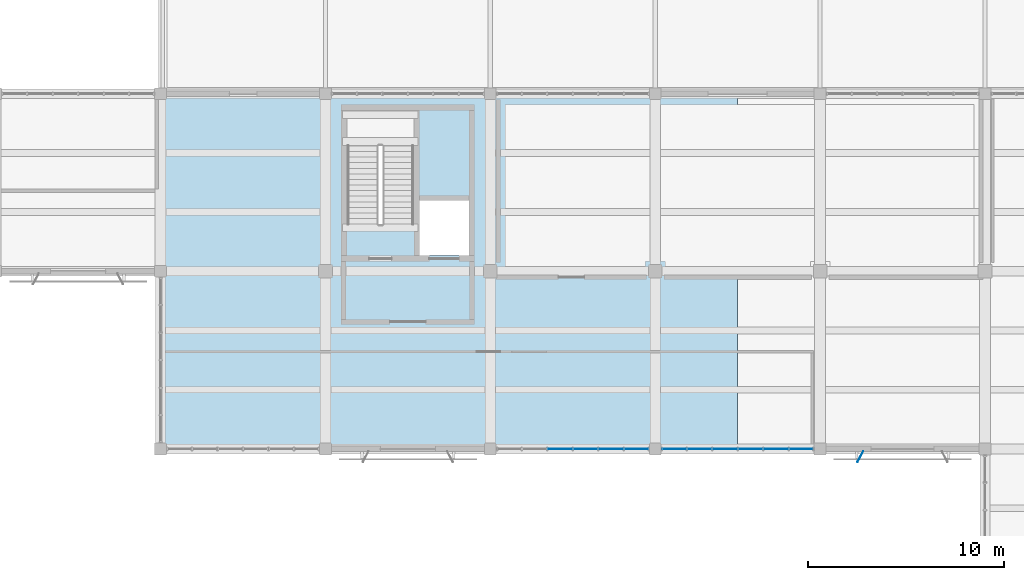
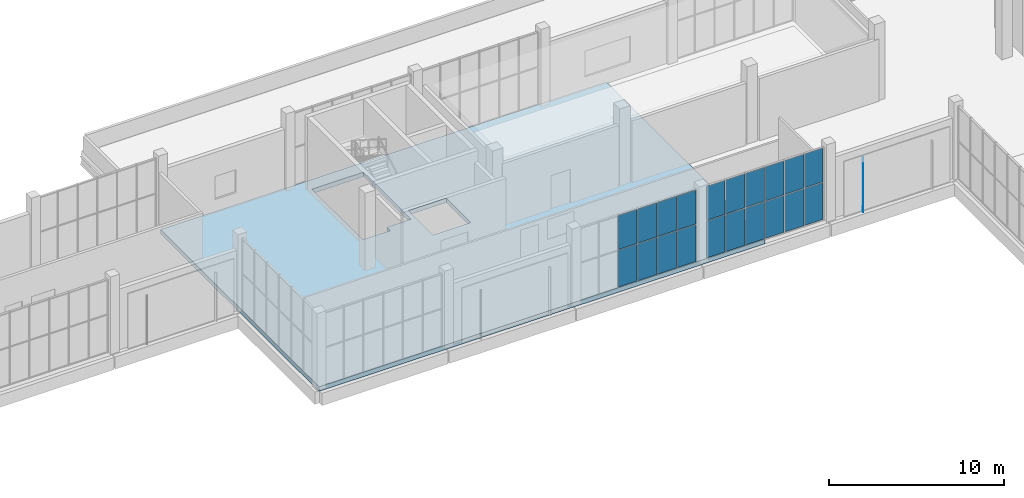
# One storey, part 105 of 132: 21 plates, 1 slab, 2 elements without a shape of their own.
"""IFC4 building model written with IfcOpenShell, lengths in metres."""

from ifc_helpers import new_model, si_unit, direction, frame, origin, origin_2d, place, context, subcontext, project, spatial, polyline, rectangle, outline, extrude, material, layer, layer_set, type_object, element, aggregate, save


model = new_model("IFC4")

# Units and contexts
model_context = context("Model", 3, precision=1e-05, world=origin(), true_north=direction((0.0, 1.0)))
body_context = subcontext(model_context, "Body", "Model", "MODEL_VIEW")
ifc_project = project(units=[si_unit("LENGTHUNIT", "METRE"), si_unit("AREAUNIT", "SQUARE_METRE"), si_unit("VOLUMEUNIT", "CUBIC_METRE"), si_unit("PLANEANGLEUNIT", "RADIAN"), si_unit("MASSUNIT", "GRAM", prefix="KILO")], contexts=[model_context])

# Site, building, storey
site_placement = place(None, origin())
site = spatial("IfcSite", under=ifc_project, at=site_placement, CompositionType="ELEMENT")
building_placement = place(site_placement, origin())
building = spatial("IfcBuilding", under=site, at=building_placement, Name="Khurvash Pelagic Aquarium", CompositionType="ELEMENT")
storey_placement = place(building_placement, frame((0.0, 0.0, 5.39990234375)))
storey = spatial("IfcBuildingStorey", under=building, at=storey_placement, Name="L01", CompositionType="ELEMENT", Elevation=5.39990234375)

# Curtain wall, plates
ifc_material_1 = material(Name="Anodised aluminium and low-E laminated glass", Category="aluminium")
curtain_wall_type = type_object("IfcCurtainWallType", Name="CW-05", PredefinedType="USERDEFINED", material=ifc_material_1)
curtain_wall_1_placement = place(storey_placement, origin())
curtain_wall_1 = element("IfcCurtainWall", 1, at=curtain_wall_1_placement, inside=storey, type_object=curtain_wall_type, Name="L01 Facade Unitised Curtain Wall CW-05 0138", ObjectType="UNITISED CURTAIN WALL", PredefinedType="USERDEFINED")
ifc_material_2 = material(Name="Low-E laminated double glazing", Category="glass")
ifc_layer_1 = layer(ifc_material_2, 0.033935546875)
ifc_layer_set_1 = layer_set([ifc_layer_1], Name="Low-E laminated double glazing")
plate_type_1 = type_object("IfcPlateType", Name="CG-05", PredefinedType="CURTAIN_PANEL", material=ifc_layer_set_1)
plate_1_placement = place(storey_placement, frame((79.15087890625, 84.050048828125, 0.06005859375), z_axis=(0.0, 0.0, 1.0), x_axis=(1.0, 0.0, 0.0)))
plate_1 = element("IfcPlate", 2, at=plate_1_placement, type_object=plate_type_1, Name="CW-05 panel 3.1", PredefinedType="CURTAIN_PANEL", context=body_context, shape_type="SweptSolid", body=[
    extrude(rectangle(XDim=1.23828125, YDim=0.033935546875, at=origin_2d()), origin(), (0.0, 0.0, 1.0), 2.56201171875),
])
plate_2_placement = place(storey_placement, frame((79.15087890625, 84.050048828125, 2.68212890625), z_axis=(0.0, 0.0, 1.0), x_axis=(1.0, 0.0, 0.0)))
plate_2 = element("IfcPlate", 3, at=plate_2_placement, type_object=plate_type_1, Name="CW-05 panel 3.2", PredefinedType="CURTAIN_PANEL", context=body_context, shape_type="SweptSolid", body=[
    extrude(rectangle(XDim=1.23828125, YDim=0.033935546875, at=origin_2d()), origin(), (0.0, 0.0, 1.0), 2.35791015625),
])
plate_3_placement = place(storey_placement, frame((80.44921875, 84.050048828125, 0.06005859375), z_axis=(0.0, 0.0, 1.0), x_axis=(1.0, 0.0, 0.0)))
plate_3 = element("IfcPlate", 4, at=plate_3_placement, type_object=plate_type_1, Name="CW-05 panel 4.1", PredefinedType="CURTAIN_PANEL", context=body_context, shape_type="SweptSolid", body=[
    extrude(rectangle(XDim=1.23828125, YDim=0.033935546875, at=origin_2d()), origin(), (0.0, 0.0, 1.0), 2.56201171875),
])
plate_4_placement = place(storey_placement, frame((80.44921875, 84.050048828125, 2.68212890625), z_axis=(0.0, 0.0, 1.0), x_axis=(1.0, 0.0, 0.0)))
plate_4 = element("IfcPlate", 5, at=plate_4_placement, type_object=plate_type_1, Name="CW-05 panel 4.2", PredefinedType="CURTAIN_PANEL", context=body_context, shape_type="SweptSolid", body=[
    extrude(rectangle(XDim=1.23828125, YDim=0.033935546875, at=origin_2d()), origin(), (0.0, 0.0, 1.0), 2.35791015625),
])
plate_5_placement = place(storey_placement, frame((81.74755859375, 84.050048828125, 0.06005859375), z_axis=(0.0, 0.0, 1.0), x_axis=(1.0, 0.0, 0.0)))
plate_5 = element("IfcPlate", 6, at=plate_5_placement, type_object=plate_type_1, Name="CW-05 panel 5.1", PredefinedType="CURTAIN_PANEL", context=body_context, shape_type="SweptSolid", body=[
    extrude(rectangle(XDim=1.23828125, YDim=0.033935546875, at=origin_2d()), origin(), (0.0, 0.0, 1.0), 2.56201171875),
])
plate_6_placement = place(storey_placement, frame((81.74755859375, 84.050048828125, 2.68212890625), z_axis=(0.0, 0.0, 1.0), x_axis=(1.0, 0.0, 0.0)))
plate_6 = element("IfcPlate", 7, at=plate_6_placement, type_object=plate_type_1, Name="CW-05 panel 5.2", PredefinedType="CURTAIN_PANEL", context=body_context, shape_type="SweptSolid", body=[
    extrude(rectangle(XDim=1.23828125, YDim=0.033935546875, at=origin_2d()), origin(), (0.0, 0.0, 1.0), 2.35791015625),
])
plate_7_placement = place(storey_placement, frame((83.03076171875, 84.050048828125, 0.06005859375), z_axis=(0.0, 0.0, 1.0), x_axis=(1.0, 0.0, 0.0)))
plate_7 = element("IfcPlate", 8, at=plate_7_placement, type_object=plate_type_1, Name="CW-05 panel 6.1", PredefinedType="CURTAIN_PANEL", context=body_context, shape_type="SweptSolid", body=[
    extrude(rectangle(XDim=1.208251953125, YDim=0.033935546875, at=origin_2d()), origin(), (0.0, 0.0, 1.0), 2.56201171875),
])
plate_8_placement = place(storey_placement, frame((83.03076171875, 84.050048828125, 2.68212890625), z_axis=(0.0, 0.0, 1.0), x_axis=(1.0, 0.0, 0.0)))
plate_8 = element("IfcPlate", 9, at=plate_8_placement, type_object=plate_type_1, Name="CW-05 panel 6.2", PredefinedType="CURTAIN_PANEL", context=body_context, shape_type="SweptSolid", body=[
    extrude(rectangle(XDim=1.208251953125, YDim=0.033935546875, at=origin_2d()), origin(), (0.0, 0.0, 1.0), 2.35791015625),
])
aggregate(curtain_wall_1, [plate_1, plate_2, plate_3, plate_4, plate_5, plate_6, plate_7, plate_8])

curtain_wall_2_placement = place(storey_placement, origin())
curtain_wall_2 = element("IfcCurtainWall", 10, at=curtain_wall_2_placement, inside=storey, type_object=curtain_wall_type, Name="L01 Facade Unitised Curtain Wall CW-05 0139", ObjectType="UNITISED CURTAIN WALL", PredefinedType="USERDEFINED")
plate_9_placement = place(storey_placement, frame((84.96923828125, 84.050048828125, 0.06005859375), z_axis=(0.0, 0.0, 1.0), x_axis=(1.0, 0.0, 0.0)))
plate_9 = element("IfcPlate", 11, at=plate_9_placement, type_object=plate_type_1, Name="CW-05 panel 1.1", PredefinedType="CURTAIN_PANEL", context=body_context, shape_type="SweptSolid", body=[
    extrude(rectangle(XDim=1.208251953125, YDim=0.033935546875, at=origin_2d()), origin(), (0.0, 0.0, 1.0), 2.56201171875),
])
plate_10_placement = place(storey_placement, frame((84.96923828125, 84.050048828125, 2.68212890625), z_axis=(0.0, 0.0, 1.0), x_axis=(1.0, 0.0, 0.0)))
plate_10 = element("IfcPlate", 12, at=plate_10_placement, type_object=plate_type_1, Name="CW-05 panel 1.2", PredefinedType="CURTAIN_PANEL", context=body_context, shape_type="SweptSolid", body=[
    extrude(rectangle(XDim=1.208251953125, YDim=0.033935546875, at=origin_2d()), origin(), (0.0, 0.0, 1.0), 2.35791015625),
])
plate_11_placement = place(storey_placement, frame((86.25244140625, 84.050048828125, 0.06005859375), z_axis=(0.0, 0.0, 1.0), x_axis=(1.0, 0.0, 0.0)))
plate_11 = element("IfcPlate", 13, at=plate_11_placement, type_object=plate_type_1, Name="CW-05 panel 2.1", PredefinedType="CURTAIN_PANEL", context=body_context, shape_type="SweptSolid", body=[
    extrude(rectangle(XDim=1.23828125, YDim=0.033935546875, at=origin_2d()), origin(), (0.0, 0.0, 1.0), 2.56201171875),
])
plate_12_placement = place(storey_placement, frame((86.25244140625, 84.050048828125, 2.68212890625), z_axis=(0.0, 0.0, 1.0), x_axis=(1.0, 0.0, 0.0)))
plate_12 = element("IfcPlate", 14, at=plate_12_placement, type_object=plate_type_1, Name="CW-05 panel 2.2", PredefinedType="CURTAIN_PANEL", context=body_context, shape_type="SweptSolid", body=[
    extrude(rectangle(XDim=1.23828125, YDim=0.033935546875, at=origin_2d()), origin(), (0.0, 0.0, 1.0), 2.35791015625),
])
plate_13_placement = place(storey_placement, frame((87.55078125, 84.050048828125, 0.06005859375), z_axis=(0.0, 0.0, 1.0), x_axis=(1.0, 0.0, 0.0)))
plate_13 = element("IfcPlate", 15, at=plate_13_placement, type_object=plate_type_1, Name="CW-05 panel 3.1", PredefinedType="CURTAIN_PANEL", context=body_context, shape_type="SweptSolid", body=[
    extrude(rectangle(XDim=1.23828125, YDim=0.033935546875, at=origin_2d()), origin(), (0.0, 0.0, 1.0), 2.56201171875),
])
plate_14_placement = place(storey_placement, frame((87.55078125, 84.050048828125, 2.68212890625), z_axis=(0.0, 0.0, 1.0), x_axis=(1.0, 0.0, 0.0)))
plate_14 = element("IfcPlate", 16, at=plate_14_placement, type_object=plate_type_1, Name="CW-05 panel 3.2", PredefinedType="CURTAIN_PANEL", context=body_context, shape_type="SweptSolid", body=[
    extrude(rectangle(XDim=1.23828125, YDim=0.033935546875, at=origin_2d()), origin(), (0.0, 0.0, 1.0), 2.35791015625),
])
plate_15_placement = place(storey_placement, frame((88.84912109375, 84.050048828125, 0.06005859375), z_axis=(0.0, 0.0, 1.0), x_axis=(1.0, 0.0, 0.0)))
plate_15 = element("IfcPlate", 17, at=plate_15_placement, type_object=plate_type_1, Name="CW-05 panel 4.1", PredefinedType="CURTAIN_PANEL", context=body_context, shape_type="SweptSolid", body=[
    extrude(rectangle(XDim=1.23828125, YDim=0.033935546875, at=origin_2d()), origin(), (0.0, 0.0, 1.0), 2.56201171875),
])
plate_16_placement = place(storey_placement, frame((88.84912109375, 84.050048828125, 2.68212890625), z_axis=(0.0, 0.0, 1.0), x_axis=(1.0, 0.0, 0.0)))
plate_16 = element("IfcPlate", 18, at=plate_16_placement, type_object=plate_type_1, Name="CW-05 panel 4.2", PredefinedType="CURTAIN_PANEL", context=body_context, shape_type="SweptSolid", body=[
    extrude(rectangle(XDim=1.23828125, YDim=0.033935546875, at=origin_2d()), origin(), (0.0, 0.0, 1.0), 2.35791015625),
])
plate_17_placement = place(storey_placement, frame((90.1474609375, 84.050048828125, 0.06005859375), z_axis=(0.0, 0.0, 1.0), x_axis=(1.0, 0.0, 0.0)))
plate_17 = element("IfcPlate", 19, at=plate_17_placement, type_object=plate_type_1, Name="CW-05 panel 5.1", PredefinedType="CURTAIN_PANEL", context=body_context, shape_type="SweptSolid", body=[
    extrude(rectangle(XDim=1.23828125, YDim=0.033935546875, at=origin_2d()), origin(), (0.0, 0.0, 1.0), 2.56201171875),
])
plate_18_placement = place(storey_placement, frame((90.1474609375, 84.050048828125, 2.68212890625), z_axis=(0.0, 0.0, 1.0), x_axis=(1.0, 0.0, 0.0)))
plate_18 = element("IfcPlate", 20, at=plate_18_placement, type_object=plate_type_1, Name="CW-05 panel 5.2", PredefinedType="CURTAIN_PANEL", context=body_context, shape_type="SweptSolid", body=[
    extrude(rectangle(XDim=1.23828125, YDim=0.033935546875, at=origin_2d()), origin(), (0.0, 0.0, 1.0), 2.35791015625),
])
plate_19_placement = place(storey_placement, frame((91.430908203125, 84.050048828125, 0.06005859375), z_axis=(0.0, 0.0, 1.0), x_axis=(1.0, 0.0, 0.0)))
plate_19 = element("IfcPlate", 21, at=plate_19_placement, type_object=plate_type_1, Name="CW-05 panel 6.1", PredefinedType="CURTAIN_PANEL", context=body_context, shape_type="SweptSolid", body=[
    extrude(rectangle(XDim=1.208251953125, YDim=0.033935546875, at=origin_2d()), origin(), (0.0, 0.0, 1.0), 2.56201171875),
])
plate_20_placement = place(storey_placement, frame((91.430908203125, 84.050048828125, 2.68212890625), z_axis=(0.0, 0.0, 1.0), x_axis=(1.0, 0.0, 0.0)))
plate_20 = element("IfcPlate", 22, at=plate_20_placement, type_object=plate_type_1, Name="CW-05 panel 6.2", PredefinedType="CURTAIN_PANEL", context=body_context, shape_type="SweptSolid", body=[
    extrude(rectangle(XDim=1.208251953125, YDim=0.033935546875, at=origin_2d()), origin(), (0.0, 0.0, 1.0), 2.35791015625),
])
aggregate(curtain_wall_2, [plate_9, plate_10, plate_11, plate_12, plate_13, plate_14, plate_15, plate_16, plate_17, plate_18, plate_19, plate_20])

# Slab
ifc_material_3 = material(Name="Concrete C40/50", Category="concrete")
ifc_layer_2 = layer(ifc_material_3, 0.31005859375)
ifc_layer_set_2 = layer_set([ifc_layer_2], Name="Concrete C40/50")
slab_type = type_object("IfcSlabType", Name="FS-310", PredefinedType="FLOOR", material=ifc_layer_set_2)
slab_placement = place(storey_placement, frame((0.0, 0.0, -0.309814453125)))
element("IfcSlab", 23, at=slab_placement, inside=storey, type_object=slab_type, Name="L01 Structural Floor Slab FS-310 V5_NORTH.1", PredefinedType="FLOOR", context=body_context, shape_type="SweptSolid", body=[
    extrude(outline(polyline([(58.800048828125, 84.050048828125), (88.199951171875, 84.050048828125), (88.199951171875, 102.14990234375), (58.800048828125, 102.14990234375), (58.800048828125, 84.050048828125)]), holes=[polyline([(70.10009765625, 95.5), (68.300048828125, 95.5), (68.300048828125, 101.300048828125), (71.699951171875, 101.300048828125), (71.699951171875, 95.8798828125), (70.10009765625, 95.8798828125), (70.10009765625, 95.5)]), polyline([(74.5, 93.89990234375), (72.0, 93.89990234375), (72.0, 96.699951171875), (74.5, 96.699951171875), (74.5, 93.89990234375)])]), origin(), (0.0, 0.0, 1.0), 0.309814453125),
])

# Plate
ifc_material_4 = material(Name="Anodised aluminium AW-5005", Category="aluminium")
ifc_layer_3 = layer(ifc_material_4, 0.02392578125)
ifc_layer_set_3 = layer_set([ifc_layer_3], Name="Anodised aluminium AW-5005")
plate_type_2 = type_object("IfcPlateType", Name="SP-01", PredefinedType="SHEET", material=ifc_layer_set_3)
plate_21_placement = place(storey_placement, frame((94.449951171875, 83.662109375, 0.150146484375), z_axis=(0.0, 0.0, 1.0), x_axis=(-0.469471562786, -0.882947592859, 0.0)))
element("IfcPlate", 24, at=plate_21_placement, inside=storey, type_object=plate_type_2, Name="L01 Parametric Folded Aluminium Solar Screen Fin SP-01 0021", PredefinedType="SHEET", context=body_context, shape_type="SweptSolid", body=[
    extrude(rectangle(XDim=0.6201171875, YDim=0.02392578125, at=origin_2d()), origin(), (0.0, 0.0, 1.0), 3.39990234375),
])

save(model, "model.ifc")
